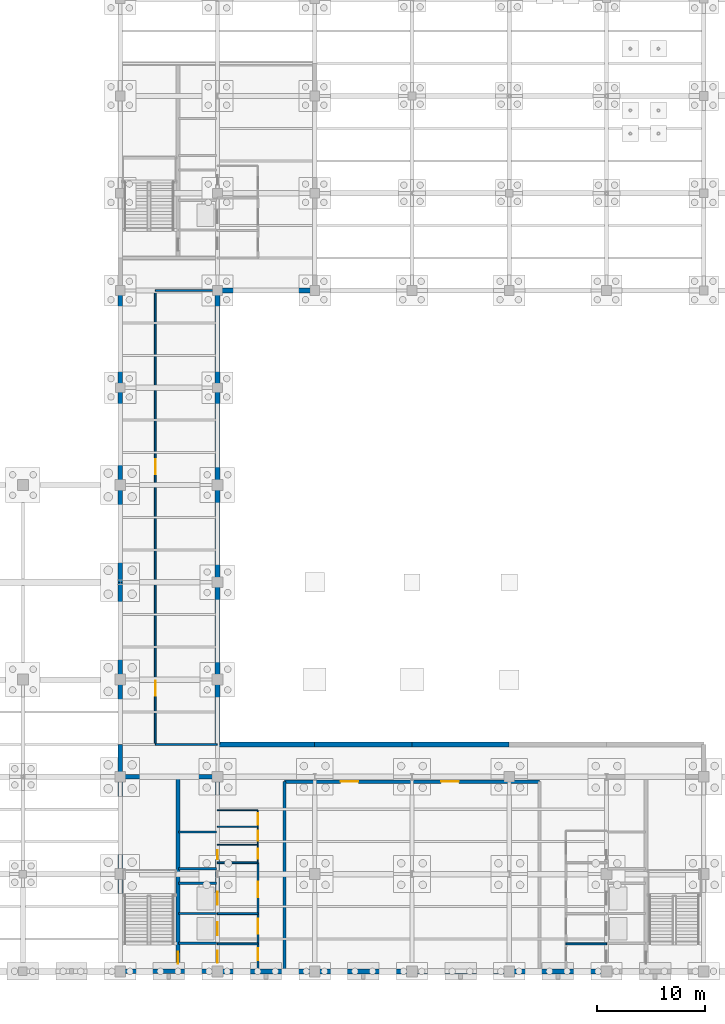
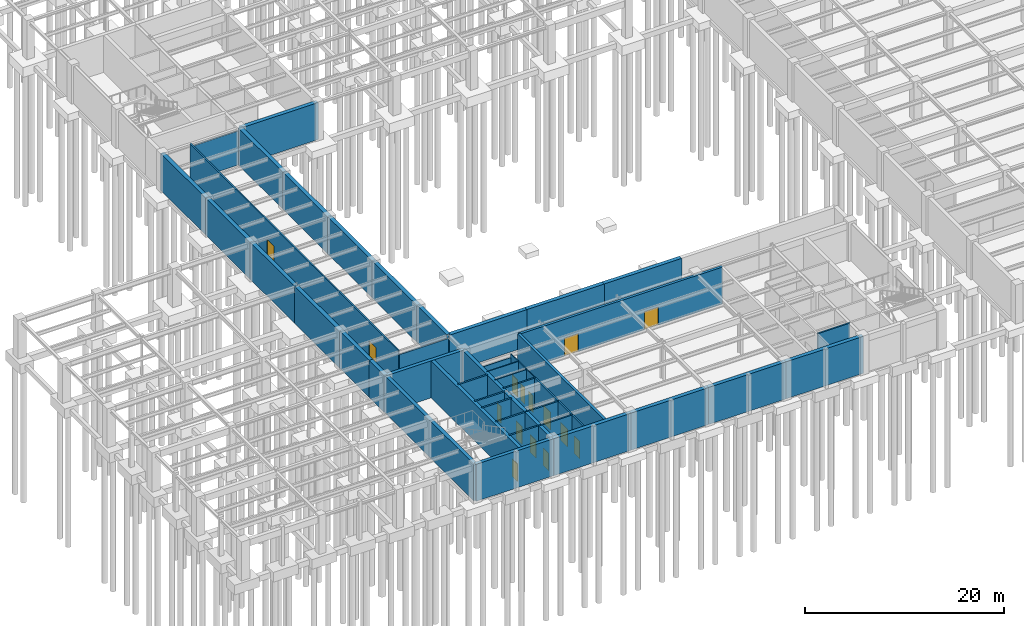
# One storey, part 40 of 49: 43 walls, 15 doors, 15 openings.
"""IFC4 building model written with IfcOpenShell, lengths in metres."""

import ifcopenshell
import ifcopenshell.guid

model = None  # the IFC model being written
_history = None  # IfcOwnerHistory: only IFC2X3 demands one
_inside = {}  # id of a spatial element -> (the spatial element, [elements in it])
_under = {}  # id of a project, library or spatial element -> (it, [spatial elements below it])
_declared = {}  # id of a project -> (the project, [libraries it declares])
_typed = {}  # id of a type object -> (the type object, [elements of that type])
_made_of = {}  # id of a material, layer set ... -> (it, [elements and type objects made of it])


def new_model(schema):
    """Start an empty IFC model of exactly this schema.

    Asked for "IFC4X3", IfcOpenShell would pick the latest addendum, in which some entities
    have other attributes; the version numbers below select the first issue.
    IFC2X3 requires an IfcOwnerHistory on every rooted entity: one is made here for all.
    """
    global model, _history
    if schema == "IFC4X3":
        model = ifcopenshell.file(schema_version=(4, 3, 0, 0))
    else:
        model = ifcopenshell.file(schema=schema)
    _inside.clear()
    _under.clear()
    _declared.clear()
    _typed.clear()
    _made_of.clear()
    _history = None
    if model.schema == "IFC2X3":
        org = make("IfcOrganization", Name="unknown")
        user = make(
            "IfcPersonAndOrganization",
            ThePerson=make("IfcPerson", FamilyName="unknown"),
            TheOrganization=org,
        )
        app = make(
            "IfcApplication",
            ApplicationDeveloper=org,
            Version="unknown",
            ApplicationFullName="unknown",
            ApplicationIdentifier="unknown",
        )
        _history = make(
            "IfcOwnerHistory",
            OwningUser=user,
            OwningApplication=app,
            ChangeAction="ADDED",
            CreationDate=0,
        )
    return model


def make(cls, **values):
    """One entity of the class cls with the attributes given. An attribute that is None is left unset."""
    return model.create_entity(
        cls, **{name: value for name, value in values.items() if value is not None}
    )


def rooted(cls, **values):
    """An entity with a GlobalId (a new one), such as an element, a storey or a relation."""
    return make(cls, GlobalId=ifcopenshell.guid.new(), OwnerHistory=_history, **values)


def si_unit(unit_type, name, prefix=None):
    """IfcSIUnit, for example si_unit("LENGTHUNIT", "METRE", prefix="MILLI")."""
    return make("IfcSIUnit", UnitType=unit_type, Prefix=prefix, Name=name)


def assignment(units):
    """IfcUnitAssignment: the units of a project."""
    return None if units is None else make("IfcUnitAssignment", Units=units)


def point(xyz):
    """IfcCartesianPoint."""
    return None if xyz is None else make("IfcCartesianPoint", Coordinates=xyz)


def direction(xyz):
    """IfcDirection."""
    return None if xyz is None else make("IfcDirection", DirectionRatios=xyz)


def frame(location, z_axis=None, x_axis=None):
    """IfcAxis2Placement3D, a coordinate frame: its origin and axes. An axis left out is left unset."""
    return make(
        "IfcAxis2Placement3D",
        Location=point(location),
        Axis=direction(z_axis),
        RefDirection=direction(x_axis),
    )


def frame_2d(location, x_axis=None):
    """IfcAxis2Placement2D, a coordinate frame in the plane: its origin and x axis."""
    return make(
        "IfcAxis2Placement2D", Location=point(location), RefDirection=direction(x_axis)
    )


def origin():
    """The frame at (0, 0, 0) with its axes left unset."""
    return frame((0.0, 0.0, 0.0))


def place(relative_to, where):
    """IfcLocalPlacement: puts the frame where relative to a parent placement (None: the world)."""
    return make(
        "IfcLocalPlacement", PlacementRelTo=relative_to, RelativePlacement=where
    )


def context(
    kind, dimensions, precision=None, world=None, true_north=None, identifier=None
):
    """IfcGeometricRepresentationContext, for example the 3D "Model" context."""
    return make(
        "IfcGeometricRepresentationContext",
        ContextIdentifier=identifier,
        ContextType=kind,
        CoordinateSpaceDimension=dimensions,
        Precision=precision,
        WorldCoordinateSystem=world,
        TrueNorth=true_north,
    )


def subcontext(parent, identifier, kind, view, scale=None):
    """IfcGeometricRepresentationSubContext, for example "Body" below "Model"."""
    return make(
        "IfcGeometricRepresentationSubContext",
        ContextIdentifier=identifier,
        ContextType=kind,
        ParentContext=parent,
        TargetScale=scale,
        TargetView=view,
    )


def project(units=None, contexts=None):
    """IfcProject with its units and contexts."""
    return rooted(
        "IfcProject",
        Name="project",
        RepresentationContexts=contexts,
        UnitsInContext=assignment(units),
    )


def spatial(cls, under=None, at=None, **own):
    """A site, building, storey or space (cls), placed at a placement, below another one or the project."""
    s = rooted(cls, ObjectPlacement=at, **own)
    if under is not None:
        _under.setdefault(under.id(), (under, []))[1].append(s)
    return s


def profile(cls, at=None, kind="AREA", **sizes):
    """A parametric profile (cls). Its sizes go by their IFC names, for example OverallWidth=200.0."""
    return make(cls, ProfileType=kind, Position=at, **sizes)


def rectangle(**sizes):
    """IfcRectangleProfileDef."""
    return profile("IfcRectangleProfileDef", **sizes)


def extrude(swept, where, along, depth):
    """IfcExtrudedAreaSolid: the profile swept, set in the frame where, extruded along a direction by depth."""
    return make(
        "IfcExtrudedAreaSolid",
        SweptArea=swept,
        Position=where,
        ExtrudedDirection=direction(along),
        Depth=depth,
    )


def shape(context_of_items, identifier, shape_type, items):
    """IfcShapeRepresentation: the items that make up one representation, for example the "Body"."""
    return make(
        "IfcShapeRepresentation",
        ContextOfItems=context_of_items,
        RepresentationIdentifier=identifier,
        RepresentationType=shape_type,
        Items=items,
    )


def material(Name=None, Category=None):
    """IfcMaterial."""
    return make("IfcMaterial", Name=Name, Category=Category)


def layer(
    of_material, thickness, ventilated=None, Name=None, Category=None, Priority=None
):
    """IfcMaterialLayer: one layer of a wall or slab, of a material (None: an air gap)."""
    return make(
        "IfcMaterialLayer",
        Material=of_material,
        LayerThickness=thickness,
        IsVentilated=ventilated,
        Name=Name,
        Category=Category,
        Priority=Priority,
    )


def layer_set(layers, Name=None):
    """IfcMaterialLayerSet."""
    return make("IfcMaterialLayerSet", MaterialLayers=layers, LayerSetName=Name)


def made_of(thing, what):
    """Note that an element or type object is made of a material, layer set ...; save() writes the relation."""
    if what is not None:
        _made_of.setdefault(what.id(), (what, []))[1].append(thing)
    return thing


def type_object(cls, material=None, **own):
    """A type object (cls), such as IfcWallType, which elements share."""
    return made_of(rooted(cls, **own), material)


def element(
    cls,
    number,
    at=None,
    inside=None,
    cuts=None,
    type_object=None,
    material=None,
    context=None,
    identifier="Body",
    shape_type=None,
    held_by="IfcProductDefinitionShape",
    body=None,
    shapes=None,
    **own,
):
    """One element of the class cls, such as IfcWall. Its Tag is "e" and its number.

    at: its placement. inside: the storey or other place that contains it. cuts: it is an
    opening in that element (IfcRelVoidsElement). A single representation is given by context,
    identifier, shape_type and body (its items); several are given by shapes. held_by: the class
    of the entity that holds the representations. save() writes the other relations.
    """
    e = rooted(cls, Tag="e%d" % number, ObjectPlacement=at, **own)
    if body is not None:
        shapes = [shape(context, identifier, shape_type, body)]
    if shapes is not None:
        e.Representation = make(held_by, Representations=shapes)
    if inside is not None:
        _inside.setdefault(inside.id(), (inside, []))[1].append(e)
    if cuts is not None:
        rooted(
            "IfcRelVoidsElement", RelatingBuildingElement=cuts, RelatedOpeningElement=e
        )
    if type_object is not None:
        _typed.setdefault(type_object.id(), (type_object, []))[1].append(e)
    return made_of(e, material)


def fill(opening, filler):
    """IfcRelFillsElement: the door or window that sits in an opening."""
    return rooted(
        "IfcRelFillsElement",
        RelatingOpeningElement=opening,
        RelatedBuildingElement=filler,
    )


def aggregate(whole, parts):
    """IfcRelAggregates: a whole, such as a stair, and the parts it consists of."""
    return rooted("IfcRelAggregates", RelatingObject=whole, RelatedObjects=parts)


def save(model, path):
    """Write the relations noted so far, then the file.

    IfcRelAggregates (storeys below a building ...), IfcRelContainedInSpatialStructure (elements
    in a storey), IfcRelDefinesByType, IfcRelAssociatesMaterial and IfcRelDeclares: one each for
    every whole, place, type object, material and project.
    """
    for whole, parts in _under.values():
        aggregate(whole, parts)
    for where, things in _inside.values():
        rooted(
            "IfcRelContainedInSpatialStructure",
            RelatedElements=things,
            RelatingStructure=where,
        )
    for kind, things in _typed.values():
        rooted("IfcRelDefinesByType", RelatedObjects=things, RelatingType=kind)
    for what, things in _made_of.values():
        rooted("IfcRelAssociatesMaterial", RelatedObjects=things, RelatingMaterial=what)
    for by, libraries in _declared.values():
        rooted("IfcRelDeclares", RelatingContext=by, RelatedDefinitions=libraries)
    model.write(path)


model = new_model("IFC4")

# Units and contexts
model_context = context("Model", 3, precision=1e-05, world=origin(), true_north=direction((0.0, 1.0)))
body_context = subcontext(model_context, "Body", "Model", "MODEL_VIEW")
ifc_project = project(units=[si_unit("LENGTHUNIT", "METRE"), si_unit("AREAUNIT", "SQUARE_METRE"), si_unit("VOLUMEUNIT", "CUBIC_METRE"), si_unit("PLANEANGLEUNIT", "RADIAN"), si_unit("MASSUNIT", "GRAM", prefix="KILO")], contexts=[model_context])

# Site, building, storey
site_placement = place(None, origin())
site = spatial("IfcSite", under=ifc_project, at=site_placement, CompositionType="ELEMENT")
building_placement = place(site_placement, origin())
building = spatial("IfcBuilding", under=site, at=building_placement, Name="Lykobir Media Centre", CompositionType="ELEMENT")
storey_placement = place(building_placement, frame((0.0, 0.0, -4.800048828125)))
storey = spatial("IfcBuildingStorey", under=building, at=storey_placement, Name="B1", CompositionType="ELEMENT", Elevation=-4.800048828125)

# Walls
ifc_material_1 = material(Name="Concrete C35/45", Category="concrete")
ifc_layer_1 = layer(ifc_material_1, 0.449951171875, Name="Concrete C35/45")
ifc_layer_set_1 = layer_set([ifc_layer_1], Name="Concrete C35/45")
wall_type_1 = type_object("IfcWallType", Name="BW-RET-450", PredefinedType="USERDEFINED", material=ifc_layer_set_1)
for number, where, z_axis, x_axis, name in (
    (1, (45.0, 21.0, 0.0), (0.0, 0.0, 1.0), (-1.0, 0.0, 0.0), "Basement retaining wall WALL-B1-0031"),
    (2, (54.0, 21.0, 0.0), (0.0, 0.0, 1.0), (-1.0, 0.0, 0.0), "Basement retaining wall WALL-B1-0032"),
    (3, (63.0, 21.0, 0.0), (0.0, 0.0, 1.0), (-1.0, 0.0, 0.0), "Basement retaining wall WALL-B1-0033"),
):
    element("IfcWall", number, at=place(storey_placement, frame(where, z_axis=z_axis, x_axis=x_axis)), inside=storey, type_object=wall_type_1, Name=name, ObjectType="RETAININGWALL", PredefinedType="USERDEFINED", context=body_context, shape_type="SweptSolid", body=[
        extrude(rectangle(XDim=9.0, YDim=0.449951171875, at=frame_2d((4.5, 0.0))), origin(), (0.0, 0.0, 1.0), 4.550048828125),
    ])
wall_1_placement = place(storey_placement, frame((36.0, 21.0, 0.0), z_axis=(0.0, 0.0, 1.0), x_axis=(0.0, 1.0, 0.0)))
element("IfcWall", 4, at=wall_1_placement, inside=storey, type_object=wall_type_1, Name="Basement retaining wall WALL-B1-0036", ObjectType="RETAININGWALL", PredefinedType="USERDEFINED", context=body_context, shape_type="SweptSolid", body=[
    extrude(rectangle(XDim=6.0, YDim=0.449951171875, at=frame_2d((3.0, 0.0))), origin(), (0.0, 0.0, 1.0), 4.550048828125),
])
for number, where, z_axis, x_axis, name in (
    (5, (36.0, 27.0, 0.0), (0.0, 0.0, 1.0), (0.0, 1.0, 0.0), "Basement retaining wall WALL-B1-0037"),
    (6, (36.0, 36.0, 0.0), (0.0, 0.0, 1.0), (0.0, 1.0, 0.0), "Basement retaining wall WALL-B1-0038"),
    (7, (36.0, 45.0, 0.0), (0.0, 0.0, 1.0), (0.0, 1.0, 0.0), "Basement retaining wall WALL-B1-0039"),
    (8, (36.0, 54.0, 0.0), (0.0, 0.0, 1.0), (0.0, 1.0, 0.0), "Basement retaining wall WALL-B1-0040"),
    (9, (36.0, 63.0, 0.0), (0.0, 0.0, 1.0), (1.0, 0.0, 0.0), "Basement retaining wall WALL-B1-0041"),
):
    element("IfcWall", number, at=place(storey_placement, frame(where, z_axis=z_axis, x_axis=x_axis)), inside=storey, type_object=wall_type_1, Name=name, ObjectType="RETAININGWALL", PredefinedType="USERDEFINED", context=body_context, shape_type="SweptSolid", body=[
        extrude(rectangle(XDim=9.0, YDim=0.449951171875, at=frame_2d((4.5, 0.0))), origin(), (0.0, 0.0, 1.0), 4.550048828125),
    ])
wall_2_placement = place(storey_placement, frame((27.0, 27.0, 0.0), z_axis=(0.0, 0.0, 1.0), x_axis=(0.0, -1.0, 0.0)))
element("IfcWall", 10, at=wall_2_placement, inside=storey, type_object=wall_type_1, Name="Basement retaining wall WALL-B1-0046", ObjectType="RETAININGWALL", PredefinedType="USERDEFINED", context=body_context, shape_type="SweptSolid", body=[
    extrude(rectangle(XDim=6.0, YDim=0.449951171875, at=frame_2d((3.0, 0.0))), origin(), (0.0, 0.0, 1.0), 4.550048828125),
])
for number, where, z_axis, x_axis, name in (
    (11, (27.0, 36.0, 0.0), (0.0, 0.0, 1.0), (0.0, -1.0, 0.0), "Basement retaining wall WALL-B1-0047"),
    (12, (27.0, 45.0, 0.0), (0.0, 0.0, 1.0), (0.0, -1.0, 0.0), "Basement retaining wall WALL-B1-0048"),
    (13, (27.0, 54.0, 0.0), (0.0, 0.0, 1.0), (0.0, -1.0, 0.0), "Basement retaining wall WALL-B1-0049"),
    (14, (27.0, 63.0, 0.0), (0.0, 0.0, 1.0), (0.0, -1.0, 0.0), "Basement retaining wall WALL-B1-0050"),
):
    element("IfcWall", number, at=place(storey_placement, frame(where, z_axis=z_axis, x_axis=x_axis)), inside=storey, type_object=wall_type_1, Name=name, ObjectType="RETAININGWALL", PredefinedType="USERDEFINED", context=body_context, shape_type="SweptSolid", body=[
        extrude(rectangle(XDim=9.0, YDim=0.449951171875, at=frame_2d((4.5, 0.0))), origin(), (0.0, 0.0, 1.0), 4.550048828125),
    ])
wall_3_placement = place(storey_placement, frame((27.0, 21.0, 0.0), z_axis=(0.0, 0.0, 1.0), x_axis=(0.0, -1.0, 0.0)))
element("IfcWall", 15, at=wall_3_placement, inside=storey, type_object=wall_type_1, Name="Basement retaining wall WALL-B1-0052", ObjectType="RETAININGWALL", PredefinedType="USERDEFINED", context=body_context, shape_type="SweptSolid", body=[
    extrude(rectangle(XDim=3.0, YDim=0.449951171875, at=frame_2d((1.5, 0.0))), origin(), (0.0, 0.0, 1.0), 4.550048828125),
])
for number, where, z_axis, x_axis, name in (
    (16, (36.0, 0.0, 0.0), (0.0, 0.0, 1.0), (1.0, 0.0, 0.0), "Basement retaining wall WALL-B1-0053"),
    (17, (45.0, 0.0, 0.0), (0.0, 0.0, 1.0), (1.0, 0.0, 0.0), "Basement retaining wall WALL-B1-0054"),
    (18, (54.0, 0.0, 0.0), (0.0, 0.0, 1.0), (1.0, 0.0, 0.0), "Basement retaining wall WALL-B1-0055"),
    (19, (63.0, 0.0, 0.0), (0.0, 0.0, 1.0), (1.0, 0.0, 0.0), "Basement retaining wall WALL-B1-0056"),
):
    element("IfcWall", number, at=place(storey_placement, frame(where, z_axis=z_axis, x_axis=x_axis)), inside=storey, type_object=wall_type_1, Name=name, ObjectType="RETAININGWALL", PredefinedType="USERDEFINED", context=body_context, shape_type="SweptSolid", body=[
        extrude(rectangle(XDim=9.0, YDim=0.449951171875, at=frame_2d((4.5, 0.0))), origin(), (0.0, 0.0, 1.0), 4.550048828125),
    ])

# Wall, openings, doors
ifc_material_2 = material(Name="Acoustic Gypsum Board", Category="gypsum")
ifc_layer_2 = layer(ifc_material_2, 0.159912109375, Name="Acoustic Gypsum Board")
ifc_layer_set_2 = layer_set([ifc_layer_2], Name="Acoustic Gypsum Board")
wall_type_2 = type_object("IfcWallType", Name="IW-COR-160", PredefinedType="PARTITIONING", material=ifc_layer_set_2)
wall_4_placement = place(storey_placement, frame((30.25, 21.0, 0.0), z_axis=(0.0, 0.0, 1.0), x_axis=(0.0, 1.0, 0.0)))
wall_4 = element("IfcWall", 20, at=wall_4_placement, inside=storey, type_object=wall_type_2, Name="Wall IWALL-B1-0647", PredefinedType="PARTITIONING", context=body_context, shape_type="SweptSolid", body=[
    extrude(rectangle(XDim=42.0, YDim=0.159912109375, at=frame_2d((21.0, 0.0))), origin(), (0.0, 0.0, 1.0), 4.550048828125),
])
opening_1_placement = place(wall_4_placement, frame((4.5, 0.0, 0.0)))
opening_1 = element("IfcOpeningElement", 21, at=opening_1_placement, cuts=wall_4, Name="Opening D-B1-WG1", PredefinedType="OPENING", context=body_context, shape_type="SweptSolid", body=[
    extrude(rectangle(XDim=1.39990234375, YDim=2.199951171875, at=frame_2d((0.699951171875, 1.10009765625))), frame((0.0, 0.08984375, 0.0), z_axis=(0.0, -1.0, 0.0), x_axis=(1.0, 0.0, 0.0)), (0.0, 0.0, 1.0), 0.179931640625),
])
opening_2_placement = place(wall_4_placement, frame((25.0, 0.0, 0.0)))
opening_2 = element("IfcOpeningElement", 22, at=opening_2_placement, cuts=wall_4, Name="Opening D-B1-WG2", PredefinedType="OPENING", context=body_context, shape_type="SweptSolid", body=[
    extrude(rectangle(XDim=1.39990234375, YDim=2.199951171875, at=frame_2d((0.699951171875, 1.10009765625))), frame((0.0, 0.08984375, 0.0), z_axis=(0.0, -1.0, 0.0), x_axis=(1.0, 0.0, 0.0)), (0.0, 0.0, 1.0), 0.179931640625),
])
ifc_material_3 = material(Name="Acoustic Timber Panelling", Category="wood")
door_type_1 = type_object("IfcDoorType", Name="FD-1400x2200", OperationType="NOTDEFINED", PredefinedType="DOOR", material=ifc_material_3)
door_1_placement = place(opening_1_placement, origin())
door_1 = element("IfcDoor", 23, at=door_1_placement, inside=storey, type_object=door_type_1, Name="Door D-B1-WG1", OperationType="DOUBLE_DOOR_SINGLE_SWING", OverallHeight=2.199951171875, OverallWidth=1.39990234375, PredefinedType="DOOR", context=body_context, shape_type="SweptSolid", body=[
    extrude(rectangle(XDim=1.39990234375, YDim=2.199951171875, at=frame_2d((0.699951171875, 1.10009765625))), frame((0.0, 0.02490234375, 0.0), z_axis=(0.0, -1.0, 0.0), x_axis=(1.0, 0.0, 0.0)), (0.0, 0.0, 1.0), 0.050048828125),
])
fill(opening_1, door_1)
door_2_placement = place(opening_2_placement, origin())
door_2 = element("IfcDoor", 24, at=door_2_placement, inside=storey, type_object=door_type_1, Name="Door D-B1-WG2", OperationType="DOUBLE_DOOR_SINGLE_SWING", OverallHeight=2.199951171875, OverallWidth=1.39990234375, PredefinedType="DOOR", context=body_context, shape_type="SweptSolid", body=[
    extrude(rectangle(XDim=1.39990234375, YDim=2.199951171875, at=frame_2d((0.699951171875, 1.10009765625))), frame((0.0, 0.02490234375, 0.0), z_axis=(0.0, -1.0, 0.0), x_axis=(1.0, 0.0, 0.0)), (0.0, 0.0, 1.0), 0.050048828125),
])
fill(opening_2, door_2)

# Walls
wall_5_placement = place(storey_placement, frame((30.25, 21.0, 0.0), z_axis=(0.0, 0.0, 1.0), x_axis=(1.0, 0.0, 0.0)))
element("IfcWall", 25, at=wall_5_placement, inside=storey, type_object=wall_type_2, Name="Wall IWALL-B1-0648", PredefinedType="PARTITIONING", context=body_context, shape_type="SweptSolid", body=[
    extrude(rectangle(XDim=5.72998046875, YDim=0.159912109375, at=frame_2d((2.864990234375, 0.0))), origin(), (0.0, 0.0, 1.0), 4.0849609375),
])
wall_6_placement = place(storey_placement, frame((30.25, 63.0, 0.0), z_axis=(0.0, 0.0, 1.0), x_axis=(1.0, 0.0, 0.0)))
element("IfcWall", 26, at=wall_6_placement, inside=storey, type_object=wall_type_2, Name="Wall IWALL-B1-0649", PredefinedType="PARTITIONING", context=body_context, shape_type="SweptSolid", body=[
    extrude(rectangle(XDim=5.75, YDim=0.159912109375, at=frame_2d((2.875, 0.0))), origin(), (0.0, 0.0, 1.0), 4.18505859375),
])

# Wall, openings, doors
ifc_layer_3 = layer(ifc_material_2, 0.179931640625, Name="Acoustic Gypsum Board")
ifc_layer_set_3 = layer_set([ifc_layer_3], Name="Acoustic Gypsum Board")
wall_type_3 = type_object("IfcWallType", Name="IW-FFLOB-180", PredefinedType="PARTITIONING", material=ifc_layer_set_3)
wall_7_placement = place(storey_placement, frame((39.75, 0.219970703125, 0.0), z_axis=(0.0, 0.0, 1.0), x_axis=(0.0, 1.0, 0.0)))
wall_7 = element("IfcWall", 27, at=wall_7_placement, inside=storey, type_object=wall_type_3, Name="Wall IWALL-B1-0011", PredefinedType="PARTITIONING", context=body_context, shape_type="SweptSolid", body=[
    extrude(rectangle(XDim=9.830078125, YDim=0.179931640625, at=frame_2d((4.9150390625, 0.0))), origin(), (0.0, 0.0, 1.0), 4.550048828125),
])
opening_3_placement = place(wall_7_placement, frame((0.800048828125, 0.0, 0.0)))
opening_3 = element("IfcOpeningElement", 28, at=opening_3_placement, cuts=wall_7, Name="Opening D-B1-C1LV", PredefinedType="OPENING", context=body_context, shape_type="SweptSolid", body=[
    extrude(rectangle(XDim=1.10009765625, YDim=2.159912109375, at=frame_2d((0.550048828125, 1.080078125))), frame((0.0, 0.099853515625, 0.0), z_axis=(0.0, -1.0, 0.0), x_axis=(1.0, 0.0, 0.0)), (0.0, 0.0, 1.0), 0.199951171875),
])
opening_4_placement = place(wall_7_placement, frame((3.25, 0.0, 0.0)))
opening_4 = element("IfcOpeningElement", 29, at=opening_4_placement, cuts=wall_7, Name="Opening D-B1-C1PL", PredefinedType="OPENING", context=body_context, shape_type="SweptSolid", body=[
    extrude(rectangle(XDim=1.39990234375, YDim=2.199951171875, at=frame_2d((0.699951171875, 1.10009765625))), frame((0.0, 0.099853515625, 0.0), z_axis=(0.0, -1.0, 0.0), x_axis=(1.0, 0.0, 0.0)), (0.0, 0.0, 1.0), 0.199951171875),
])
opening_5_placement = place(wall_7_placement, frame((6.64990234375, 0.0, 0.0)))
opening_5 = element("IfcOpeningElement", 30, at=opening_5_placement, cuts=wall_7, Name="Opening D-B1-C1FF", PredefinedType="OPENING", context=body_context, shape_type="SweptSolid", body=[
    extrude(rectangle(XDim=1.39990234375, YDim=2.199951171875, at=frame_2d((0.699951171875, 1.10009765625))), frame((0.0, 0.099853515625, 0.0), z_axis=(0.0, -1.0, 0.0), x_axis=(1.0, 0.0, 0.0)), (0.0, 0.0, 1.0), 0.199951171875),
])
door_type_2 = type_object("IfcDoorType", Name="FD-1100x2160", OperationType="NOTDEFINED", PredefinedType="DOOR", material=ifc_material_3)
door_3_placement = place(opening_3_placement, origin())
door_3 = element("IfcDoor", 31, at=door_3_placement, inside=storey, type_object=door_type_2, Name="Door D-B1-C1LV", OperationType="SINGLE_SWING_RIGHT", OverallHeight=2.159912109375, OverallWidth=1.10009765625, PredefinedType="DOOR", context=body_context, shape_type="SweptSolid", body=[
    extrude(rectangle(XDim=1.10009765625, YDim=2.159912109375, at=frame_2d((0.550048828125, 1.080078125))), frame((0.0, 0.02490234375, 0.0), z_axis=(0.0, -1.0, 0.0), x_axis=(1.0, 0.0, 0.0)), (0.0, 0.0, 1.0), 0.050048828125),
])
fill(opening_3, door_3)
door_4_placement = place(opening_4_placement, origin())
door_4 = element("IfcDoor", 32, at=door_4_placement, inside=storey, type_object=door_type_1, Name="Door D-B1-C1PL", OperationType="DOUBLE_DOOR_SINGLE_SWING", OverallHeight=2.199951171875, OverallWidth=1.39990234375, PredefinedType="DOOR", context=body_context, shape_type="SweptSolid", body=[
    extrude(rectangle(XDim=1.39990234375, YDim=2.199951171875, at=frame_2d((0.699951171875, 1.10009765625))), frame((0.0, 0.02490234375, 0.0), z_axis=(0.0, -1.0, 0.0), x_axis=(1.0, 0.0, 0.0)), (0.0, 0.0, 1.0), 0.050048828125),
])
fill(opening_4, door_4)
door_5_placement = place(opening_5_placement, origin())
door_5 = element("IfcDoor", 33, at=door_5_placement, inside=storey, type_object=door_type_1, Name="Door D-B1-C1FF", OperationType="DOUBLE_DOOR_SINGLE_SWING", OverallHeight=2.199951171875, OverallWidth=1.39990234375, PredefinedType="DOOR", context=body_context, shape_type="SweptSolid", body=[
    extrude(rectangle(XDim=1.39990234375, YDim=2.199951171875, at=frame_2d((0.699951171875, 1.10009765625))), frame((0.0, 0.02490234375, 0.0), z_axis=(0.0, -1.0, 0.0), x_axis=(1.0, 0.0, 0.0)), (0.0, 0.0, 1.0), 0.050048828125),
])
fill(opening_5, door_5)

# Walls
for number, where, z_axis, x_axis, name in (
    (34, (36.0, 2.550048828125, 0.0), (0.0, 0.0, 1.0), (1.0, 0.0, 0.0), "Wall IWALL-B1-0012"),
    (35, (36.0, 5.35009765625, 0.0), (0.0, 0.0, 1.0), (1.0, 0.0, 0.0), "Wall IWALL-B1-0013"),
    (36, (36.0, 10.050048828125, 0.0), (0.0, 0.0, 1.0), (1.0, 0.0, 0.0), "Wall IWALL-B1-0014"),
    (37, (68.25, 2.550048828125, 0.0), (0.0, 0.0, 1.0), (1.0, 0.0, 0.0), "Wall IWALL-B1-0192"),
):
    element("IfcWall", number, at=place(storey_placement, frame(where, z_axis=z_axis, x_axis=x_axis)), inside=storey, type_object=wall_type_3, Name=name, PredefinedType="PARTITIONING", context=body_context, shape_type="SweptSolid", body=[
        extrude(rectangle(XDim=3.75, YDim=0.179931640625, at=frame_2d((1.875, 0.0))), origin(), (0.0, 0.0, 1.0), 4.550048828125),
    ])
ifc_material_4 = material(Name="Concrete C30/37", Category="concrete")
ifc_layer_4 = layer(ifc_material_4, 0.199951171875, Name="Concrete C30/37")
ifc_layer_set_4 = layer_set([ifc_layer_4], Name="Concrete C30/37")
wall_type_4 = type_object("IfcWallType", Name="IW-SHAFT-200", PredefinedType="PARTITIONING", material=ifc_layer_set_4)
for number, where, z_axis, x_axis, name in (
    (38, (32.39990234375, 2.60009765625, 0.0), (0.0, 0.0, 1.0), (1.0, 0.0, 0.0), "Wall IWALL-B1-0006"),
    (39, (32.39990234375, 5.35009765625, 0.0), (0.0, 0.0, 1.0), (1.0, 0.0, 0.0), "Wall IWALL-B1-0007"),
    (40, (32.39990234375, 8.14990234375, 0.0), (0.0, 0.0, 1.0), (1.0, 0.0, 0.0), "Wall IWALL-B1-0008"),
    (41, (32.39990234375, 9.5, 0.0), (0.0, 0.0, 1.0), (1.0, 0.0, 0.0), "Wall IWALL-B1-0009"),
    (42, (32.39990234375, 12.89990234375, 0.0), (0.0, 0.0, 1.0), (1.0, 0.0, 0.0), "Wall IWALL-B1-0010"),
):
    element("IfcWall", number, at=place(storey_placement, frame(where, z_axis=z_axis, x_axis=x_axis)), inside=storey, type_object=wall_type_4, Name=name, PredefinedType="PARTITIONING", context=body_context, shape_type="SweptSolid", body=[
        extrude(rectangle(XDim=3.5, YDim=0.199951171875, at=frame_2d((1.75, 0.0))), origin(), (0.0, 0.0, 1.0), 4.550048828125),
    ])

# Wall, openings, doors
ifc_layer_5 = layer(ifc_material_2, 0.094970703125, Name="Acoustic Gypsum Board")
ifc_layer_set_5 = layer_set([ifc_layer_5], Name="Acoustic Gypsum Board")
wall_type_5 = type_object("IfcWallType", Name="IW-WC-095", PredefinedType="PARTITIONING", material=ifc_layer_set_5)
wall_8_placement = place(storey_placement, frame((39.75, 10.050048828125, 0.0), z_axis=(0.0, 0.0, 1.0), x_axis=(0.0, 1.0, 0.0)))
wall_8 = element("IfcWall", 43, at=wall_8_placement, inside=storey, type_object=wall_type_5, Name="Wall IWALL-B1-0015", PredefinedType="PARTITIONING", context=body_context, shape_type="SweptSolid", body=[
    extrude(rectangle(XDim=4.849853515625, YDim=0.094970703125, at=frame_2d((2.4248046875, 0.0))), origin(), (0.0, 0.0, 1.0), 4.550048828125),
])
opening_6_placement = place(wall_8_placement, frame((0.3798828125, 0.0, 0.0)))
opening_6 = element("IfcOpeningElement", 44, at=opening_6_placement, cuts=wall_8, Name="Opening D-B1-WCM", PredefinedType="OPENING", context=body_context, shape_type="SweptSolid", body=[
    extrude(rectangle(XDim=0.919921875, YDim=2.10009765625, at=frame_2d((0.4599609375, 1.050048828125))), frame((0.0, 0.057373046875, 0.0), z_axis=(0.0, -1.0, 0.0), x_axis=(1.0, 0.0, 0.0)), (0.0, 0.0, 1.0), 0.114990234375),
])
opening_7_placement = place(wall_8_placement, frame((2.02001953125, 0.0, 0.0)))
opening_7 = element("IfcOpeningElement", 45, at=opening_7_placement, cuts=wall_8, Name="Opening D-B1-WCF", PredefinedType="OPENING", context=body_context, shape_type="SweptSolid", body=[
    extrude(rectangle(XDim=0.919921875, YDim=2.10009765625, at=frame_2d((0.4599609375, 1.050048828125))), frame((0.0, 0.057373046875, 0.0), z_axis=(0.0, -1.0, 0.0), x_axis=(1.0, 0.0, 0.0)), (0.0, 0.0, 1.0), 0.114990234375),
])
opening_8_placement = place(wall_8_placement, frame((3.52001953125, 0.0, 0.0)))
opening_8 = element("IfcOpeningElement", 46, at=opening_8_placement, cuts=wall_8, Name="Opening D-B1-WCA1", PredefinedType="OPENING", context=body_context, shape_type="SweptSolid", body=[
    extrude(rectangle(XDim=1.050048828125, YDim=2.1298828125, at=frame_2d((0.52490234375, 1.06494140625))), frame((0.0, 0.057373046875, 0.0), z_axis=(0.0, -1.0, 0.0), x_axis=(1.0, 0.0, 0.0)), (0.0, 0.0, 1.0), 0.114990234375),
])
door_type_3 = type_object("IfcDoorType", Name="ID-0920x2100", OperationType="NOTDEFINED", PredefinedType="DOOR", material=ifc_material_3)
door_6_placement = place(opening_6_placement, origin())
door_6 = element("IfcDoor", 47, at=door_6_placement, inside=storey, type_object=door_type_3, Name="Door D-B1-WCM", OperationType="SINGLE_SWING_LEFT", OverallHeight=2.10009765625, OverallWidth=0.919921875, PredefinedType="DOOR", context=body_context, shape_type="SweptSolid", body=[
    extrude(rectangle(XDim=0.919921875, YDim=2.10009765625, at=frame_2d((0.4599609375, 1.050048828125))), frame((0.0, 0.02490234375, 0.0), z_axis=(0.0, -1.0, 0.0), x_axis=(1.0, 0.0, 0.0)), (0.0, 0.0, 1.0), 0.050048828125),
])
fill(opening_6, door_6)
door_7_placement = place(opening_7_placement, origin())
door_7 = element("IfcDoor", 48, at=door_7_placement, inside=storey, type_object=door_type_3, Name="Door D-B1-WCF", OperationType="SINGLE_SWING_RIGHT", OverallHeight=2.10009765625, OverallWidth=0.919921875, PredefinedType="DOOR", context=body_context, shape_type="SweptSolid", body=[
    extrude(rectangle(XDim=0.919921875, YDim=2.10009765625, at=frame_2d((0.4599609375, 1.050048828125))), frame((0.0, 0.02490234375, 0.0), z_axis=(0.0, -1.0, 0.0), x_axis=(1.0, 0.0, 0.0)), (0.0, 0.0, 1.0), 0.050048828125),
])
fill(opening_7, door_7)
door_type_4 = type_object("IfcDoorType", Name="ID-1050x2130", OperationType="NOTDEFINED", PredefinedType="DOOR", material=ifc_material_3)
door_8_placement = place(opening_8_placement, origin())
door_8 = element("IfcDoor", 49, at=door_8_placement, inside=storey, type_object=door_type_4, Name="Door D-B1-WCA1", OperationType="SINGLE_SWING_LEFT", OverallHeight=2.1298828125, OverallWidth=1.050048828125, PredefinedType="DOOR", context=body_context, shape_type="SweptSolid", body=[
    extrude(rectangle(XDim=1.050048828125, YDim=2.1298828125, at=frame_2d((0.52490234375, 1.06494140625))), frame((0.0, 0.02490234375, 0.0), z_axis=(0.0, -1.0, 0.0), x_axis=(1.0, 0.0, 0.0)), (0.0, 0.0, 1.0), 0.050048828125),
])
fill(opening_8, door_8)

# Walls
for number, where, z_axis, x_axis, name in (
    (50, (36.0, 11.719970703125, 0.0), (0.0, 0.0, 1.0), (1.0, 0.0, 0.0), "Wall IWALL-B1-0016"),
    (51, (36.0, 13.3798828125, 0.0), (0.0, 0.0, 1.0), (1.0, 0.0, 0.0), "Wall IWALL-B1-0017"),
):
    element("IfcWall", number, at=place(storey_placement, frame(where, z_axis=z_axis, x_axis=x_axis)), inside=storey, type_object=wall_type_5, Name=name, PredefinedType="PARTITIONING", context=body_context, shape_type="SweptSolid", body=[
        extrude(rectangle(XDim=3.75, YDim=0.094970703125, at=frame_2d((1.875, 0.0))), origin(), (0.0, 0.0, 1.0), 4.550048828125),
    ])
wall_9_placement = place(storey_placement, frame((36.0, 14.89990234375, 0.0), z_axis=(0.0, 0.0, 1.0), x_axis=(1.0, 0.0, 0.0)))
element("IfcWall", 52, at=wall_9_placement, inside=storey, type_object=wall_type_5, Name="Wall IWALL-B1-0018", PredefinedType="PARTITIONING", context=body_context, shape_type="SweptSolid", body=[
    extrude(rectangle(XDim=3.75, YDim=0.094970703125, at=frame_2d((1.875, 0.0))), origin(), (0.0, 0.0, 1.0), 4.0849609375),
])

# Wall, openings, doors
ifc_material_5 = material(Name="Concrete C40/50", Category="concrete")
ifc_layer_6 = layer(ifc_material_5, 0.300048828125, Name="Concrete C40/50")
ifc_layer_set_6 = layer_set([ifc_layer_6], Name="Concrete C40/50")
wall_type_6 = type_object("IfcWallType", Name="SW-COMP-300", PredefinedType="SHEAR", material=ifc_layer_set_6)
wall_10_placement = place(storey_placement, frame((42.199951171875, 17.550048828125, 0.0), z_axis=(0.0, 0.0, 1.0), x_axis=(1.0, 0.0, 0.0)))
wall_10 = element("IfcWall", 53, at=wall_10_placement, inside=storey, type_object=wall_type_6, Name="Wall IWALL-B1-0644", PredefinedType="SHEAR", context=body_context, shape_type="SweptSolid", body=[
    extrude(rectangle(XDim=23.60009765625, YDim=0.300048828125, at=frame_2d((11.800048828125, 0.0))), origin(), (0.0, 0.0, 1.0), 4.550048828125),
])
opening_9_placement = place(wall_10_placement, frame((5.199951171875, 0.0, 0.0)))
opening_9 = element("IfcOpeningElement", 54, at=opening_9_placement, cuts=wall_10, Name="Opening D-B1-ARC1", PredefinedType="OPENING", context=body_context, shape_type="SweptSolid", body=[
    extrude(rectangle(XDim=1.64990234375, YDim=2.25, at=frame_2d((0.824951171875, 1.125))), frame((0.0, 0.159912109375, 0.0), z_axis=(0.0, -1.0, 0.0), x_axis=(1.0, 0.0, 0.0)), (0.0, 0.0, 1.0), 0.320068359375),
])
opening_10_placement = place(wall_10_placement, frame((14.5, 0.0, 0.0)))
opening_10 = element("IfcOpeningElement", 55, at=opening_10_placement, cuts=wall_10, Name="Opening D-B1-ARC2", PredefinedType="OPENING", context=body_context, shape_type="SweptSolid", body=[
    extrude(rectangle(XDim=1.64990234375, YDim=2.25, at=frame_2d((0.824951171875, 1.125))), frame((0.0, 0.159912109375, 0.0), z_axis=(0.0, -1.0, 0.0), x_axis=(1.0, 0.0, 0.0)), (0.0, 0.0, 1.0), 0.320068359375),
])
door_type_5 = type_object("IfcDoorType", Name="FD-1650x2250", OperationType="NOTDEFINED", PredefinedType="DOOR", material=ifc_material_3)
door_9_placement = place(opening_9_placement, origin())
door_9 = element("IfcDoor", 56, at=door_9_placement, inside=storey, type_object=door_type_5, Name="Door D-B1-ARC1", OperationType="DOUBLE_DOOR_SINGLE_SWING", OverallHeight=2.25, OverallWidth=1.64990234375, PredefinedType="DOOR", context=body_context, shape_type="SweptSolid", body=[
    extrude(rectangle(XDim=1.64990234375, YDim=2.25, at=frame_2d((0.824951171875, 1.125))), frame((0.0, 0.02490234375, 0.0), z_axis=(0.0, -1.0, 0.0), x_axis=(1.0, 0.0, 0.0)), (0.0, 0.0, 1.0), 0.050048828125),
])
fill(opening_9, door_9)
door_10_placement = place(opening_10_placement, origin())
door_10 = element("IfcDoor", 57, at=door_10_placement, inside=storey, type_object=door_type_5, Name="Door D-B1-ARC2", OperationType="DOUBLE_DOOR_SINGLE_SWING", OverallHeight=2.25, OverallWidth=1.64990234375, PredefinedType="DOOR", context=body_context, shape_type="SweptSolid", body=[
    extrude(rectangle(XDim=1.64990234375, YDim=2.25, at=frame_2d((0.824951171875, 1.125))), frame((0.0, 0.02490234375, 0.0), z_axis=(0.0, -1.0, 0.0), x_axis=(1.0, 0.0, 0.0)), (0.0, 0.0, 1.0), 0.050048828125),
])
fill(opening_10, door_10)

# Walls
wall_11_placement = place(storey_placement, frame((42.199951171875, 0.0, 0.0), z_axis=(0.0, 0.0, 1.0), x_axis=(0.0, 1.0, 0.0)))
element("IfcWall", 58, at=wall_11_placement, inside=storey, type_object=wall_type_6, Name="Wall IWALL-B1-0645", PredefinedType="SHEAR", context=body_context, shape_type="SweptSolid", body=[
    extrude(rectangle(XDim=17.550048828125, YDim=0.300048828125, at=frame_2d((8.77490234375, 0.0))), origin(), (0.0, 0.0, 1.0), 4.550048828125),
])
ifc_layer_7 = layer(ifc_material_5, 0.39990234375, Name="Concrete C40/50")
ifc_layer_set_7 = layer_set([ifc_layer_7], Name="Concrete C40/50")
wall_type_7 = type_object("IfcWallType", Name="SW-CORE-400", PredefinedType="SHEAR", material=ifc_layer_set_7)
wall_12_placement = place(storey_placement, frame((27.0, 0.0, 0.0), z_axis=(0.0, 0.0, 1.0), x_axis=(1.0, 0.0, 0.0)))
element("IfcWall", 59, at=wall_12_placement, inside=storey, type_object=wall_type_7, Name="Wall IWALL-B1-0001", PredefinedType="SHEAR", context=body_context, shape_type="SweptSolid", body=[
    extrude(rectangle(XDim=9.0, YDim=0.39990234375, at=frame_2d((4.5, 0.0))), origin(), (0.0, 0.0, 1.0), 4.550048828125),
])

# Wall, openings, doors
wall_13_placement = place(storey_placement, frame((36.0, 0.0, 0.0), z_axis=(0.0, 0.0, 1.0), x_axis=(0.0, 1.0, 0.0)))
wall_13 = element("IfcWall", 60, at=wall_13_placement, inside=storey, type_object=wall_type_7, Name="Wall IWALL-B1-0002", PredefinedType="SHEAR", context=body_context, shape_type="SweptSolid", body=[
    extrude(rectangle(XDim=18.0, YDim=0.39990234375, at=frame_2d((9.0, 0.0))), origin(), (0.0, 0.0, 1.0), 4.550048828125),
])
opening_11_placement = place(wall_13_placement, frame((0.800048828125, 0.0, 0.0)))
opening_11 = element("IfcOpeningElement", 61, at=opening_11_placement, cuts=wall_13, Name="Opening D-B1-C1VB", PredefinedType="OPENING", context=body_context, shape_type="SweptSolid", body=[
    extrude(rectangle(XDim=1.10009765625, YDim=2.159912109375, at=frame_2d((0.550048828125, 1.080078125))), frame((0.0, 0.2099609375, 0.0), z_axis=(0.0, -1.0, 0.0), x_axis=(1.0, 0.0, 0.0)), (0.0, 0.0, 1.0), 0.419921875),
])
opening_12_placement = place(wall_13_placement, frame((3.35009765625, 0.0, 0.0)))
opening_12 = element("IfcOpeningElement", 62, at=opening_12_placement, cuts=wall_13, Name="Opening LD-B1-PL-1", PredefinedType="OPENING", context=body_context, shape_type="SweptSolid", body=[
    extrude(rectangle(XDim=1.199951171875, YDim=2.199951171875, at=frame_2d((0.60009765625, 1.10009765625))), frame((0.0, 0.2099609375, 0.0), z_axis=(0.0, -1.0, 0.0), x_axis=(1.0, 0.0, 0.0)), (0.0, 0.0, 1.0), 0.419921875),
])
opening_13_placement = place(wall_13_placement, frame((6.14990234375, 0.0, 0.0)))
opening_13 = element("IfcOpeningElement", 63, at=opening_13_placement, cuts=wall_13, Name="Opening LD-B1-FL-1", PredefinedType="OPENING", context=body_context, shape_type="SweptSolid", body=[
    extrude(rectangle(XDim=1.199951171875, YDim=2.199951171875, at=frame_2d((0.60009765625, 1.10009765625))), frame((0.0, 0.2099609375, 0.0), z_axis=(0.0, -1.0, 0.0), x_axis=(1.0, 0.0, 0.0)), (0.0, 0.0, 1.0), 0.419921875),
])
opening_14_placement = place(wall_13_placement, frame((10.35009765625, 0.0, 0.0)))
opening_14 = element("IfcOpeningElement", 64, at=opening_14_placement, cuts=wall_13, Name="Opening D-B1-C1RS", PredefinedType="OPENING", context=body_context, shape_type="SweptSolid", body=[
    extrude(rectangle(XDim=0.85009765625, YDim=2.10009765625, at=frame_2d((0.425048828125, 1.050048828125))), frame((0.0, 0.2099609375, 0.0), z_axis=(0.0, -1.0, 0.0), x_axis=(1.0, 0.0, 0.0)), (0.0, 0.0, 1.0), 0.419921875),
])
ifc_material_6 = material(Name="Anodized Aluminium AW-6060", Category="aluminium")
door_type_6 = type_object("IfcDoorType", Name="FD-0850x2100", OperationType="NOTDEFINED", PredefinedType="DOOR", material=ifc_material_6)
door_11_placement = place(opening_14_placement, origin())
door_11 = element("IfcDoor", 65, at=door_11_placement, inside=storey, type_object=door_type_6, Name="Riser access door C1 B1", OperationType="SINGLE_SWING_LEFT", OverallHeight=2.10009765625, OverallWidth=0.85009765625, PredefinedType="DOOR", context=body_context, shape_type="SweptSolid", body=[
    extrude(rectangle(XDim=0.85009765625, YDim=2.10009765625, at=frame_2d((0.425048828125, 1.050048828125))), frame((0.0, 0.02490234375, 0.0), z_axis=(0.0, -1.0, 0.0), x_axis=(1.0, 0.0, 0.0)), (0.0, 0.0, 1.0), 0.050048828125),
])
fill(opening_14, door_11)
door_12_placement = place(opening_11_placement, origin())
door_12 = element("IfcDoor", 66, at=door_12_placement, inside=storey, type_object=door_type_2, Name="Door D-B1-C1VB", OperationType="SINGLE_SWING_RIGHT", OverallHeight=2.159912109375, OverallWidth=1.10009765625, PredefinedType="DOOR", context=body_context, shape_type="SweptSolid", body=[
    extrude(rectangle(XDim=1.10009765625, YDim=2.159912109375, at=frame_2d((0.550048828125, 1.080078125))), frame((0.0, 0.02490234375, 0.0), z_axis=(0.0, -1.0, 0.0), x_axis=(1.0, 0.0, 0.0)), (0.0, 0.0, 1.0), 0.050048828125),
])
fill(opening_11, door_12)
door_type_7 = type_object("IfcDoorType", Name="LD-1200x2200", OperationType="NOTDEFINED", PredefinedType="DOOR", material=ifc_material_6)
door_13_placement = place(opening_12_placement, origin())
door_13 = element("IfcDoor", 67, at=door_13_placement, inside=storey, type_object=door_type_7, Name="Lift landing door PL-1 B1", OperationType="SLIDING_TO_LEFT", OverallHeight=2.199951171875, OverallWidth=1.199951171875, PredefinedType="DOOR", context=body_context, shape_type="SweptSolid", body=[
    extrude(rectangle(XDim=1.199951171875, YDim=2.199951171875, at=frame_2d((0.60009765625, 1.10009765625))), frame((0.0, 0.02490234375, 0.0), z_axis=(0.0, -1.0, 0.0), x_axis=(1.0, 0.0, 0.0)), (0.0, 0.0, 1.0), 0.050048828125),
])
fill(opening_12, door_13)
door_14_placement = place(opening_13_placement, origin())
door_14 = element("IfcDoor", 68, at=door_14_placement, inside=storey, type_object=door_type_7, Name="Firefighting lift landing door FL-1 B1", OperationType="SLIDING_TO_LEFT", OverallHeight=2.199951171875, OverallWidth=1.199951171875, PredefinedType="DOOR", context=body_context, shape_type="SweptSolid", body=[
    extrude(rectangle(XDim=1.199951171875, YDim=2.199951171875, at=frame_2d((0.60009765625, 1.10009765625))), frame((0.0, 0.02490234375, 0.0), z_axis=(0.0, -1.0, 0.0), x_axis=(1.0, 0.0, 0.0)), (0.0, 0.0, 1.0), 0.050048828125),
])
fill(opening_13, door_14)

# Walls
wall_14_placement = place(storey_placement, frame((36.0, 18.0, 0.0), z_axis=(0.0, 0.0, 1.0), x_axis=(-1.0, 0.0, 0.0)))
element("IfcWall", 69, at=wall_14_placement, inside=storey, type_object=wall_type_7, Name="Wall IWALL-B1-0003", PredefinedType="SHEAR", context=body_context, shape_type="SweptSolid", body=[
    extrude(rectangle(XDim=9.0, YDim=0.39990234375, at=frame_2d((4.5, 0.0))), origin(), (0.0, 0.0, 1.0), 4.550048828125),
])
wall_15_placement = place(storey_placement, frame((27.0, 18.0, 0.0), z_axis=(0.0, 0.0, 1.0), x_axis=(0.0, -1.0, 0.0)))
element("IfcWall", 70, at=wall_15_placement, inside=storey, type_object=wall_type_7, Name="Wall IWALL-B1-0004", PredefinedType="SHEAR", context=body_context, shape_type="SweptSolid", body=[
    extrude(rectangle(XDim=18.0, YDim=0.39990234375, at=frame_2d((9.0, 0.0))), origin(), (0.0, 0.0, 1.0), 4.550048828125),
])

# Wall, opening, door
wall_16_placement = place(storey_placement, frame((32.35009765625, 0.0, 0.0), z_axis=(0.0, 0.0, 1.0), x_axis=(0.0, 1.0, 0.0)))
wall_16 = element("IfcWall", 71, at=wall_16_placement, inside=storey, type_object=wall_type_7, Name="Wall IWALL-B1-0005", PredefinedType="SHEAR", context=body_context, shape_type="SweptSolid", body=[
    extrude(rectangle(XDim=18.0, YDim=0.39990234375, at=frame_2d((9.0, 0.0))), origin(), (0.0, 0.0, 1.0), 4.550048828125),
])
opening_15_placement = place(wall_16_placement, frame((0.699951171875, 0.0, 0.0)))
opening_15 = element("IfcOpeningElement", 72, at=opening_15_placement, cuts=wall_16, Name="Opening D-B1-C1ST", PredefinedType="OPENING", context=body_context, shape_type="SweptSolid", body=[
    extrude(rectangle(XDim=1.10009765625, YDim=2.159912109375, at=frame_2d((0.550048828125, 1.080078125))), frame((0.0, 0.2099609375, 0.0), z_axis=(0.0, -1.0, 0.0), x_axis=(1.0, 0.0, 0.0)), (0.0, 0.0, 1.0), 0.419921875),
])
door_15_placement = place(opening_15_placement, frame((1.10009765625, 0.0, 0.0), z_axis=(0.0, 0.0, 1.0), x_axis=(-1.0, 0.0, 0.0)))
door_15 = element("IfcDoor", 73, at=door_15_placement, inside=storey, type_object=door_type_2, Name="B1 ST-1 stairwell fire door", OperationType="SINGLE_SWING_LEFT", OverallHeight=2.159912109375, OverallWidth=1.10009765625, PredefinedType="DOOR", context=body_context, shape_type="SweptSolid", body=[
    extrude(rectangle(XDim=1.10009765625, YDim=2.159912109375, at=frame_2d((0.550048828125, 1.080078125))), frame((0.0, 0.02490234375, 0.0), z_axis=(0.0, -1.0, 0.0), x_axis=(1.0, 0.0, 0.0)), (0.0, 0.0, 1.0), 0.050048828125),
])
fill(opening_15, door_15)

save(model, "model.ifc")
